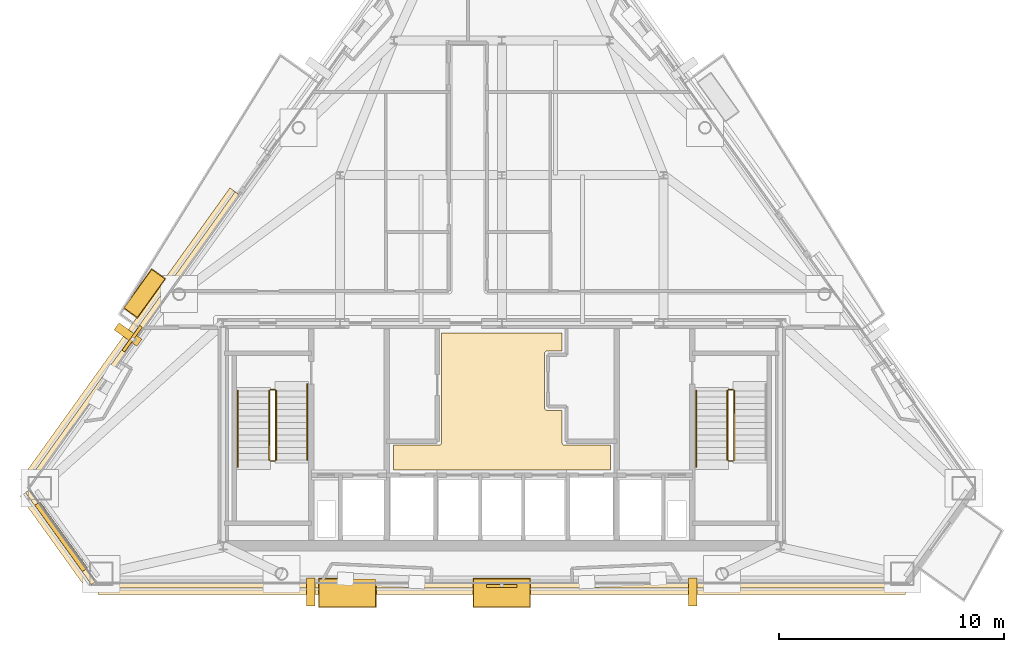
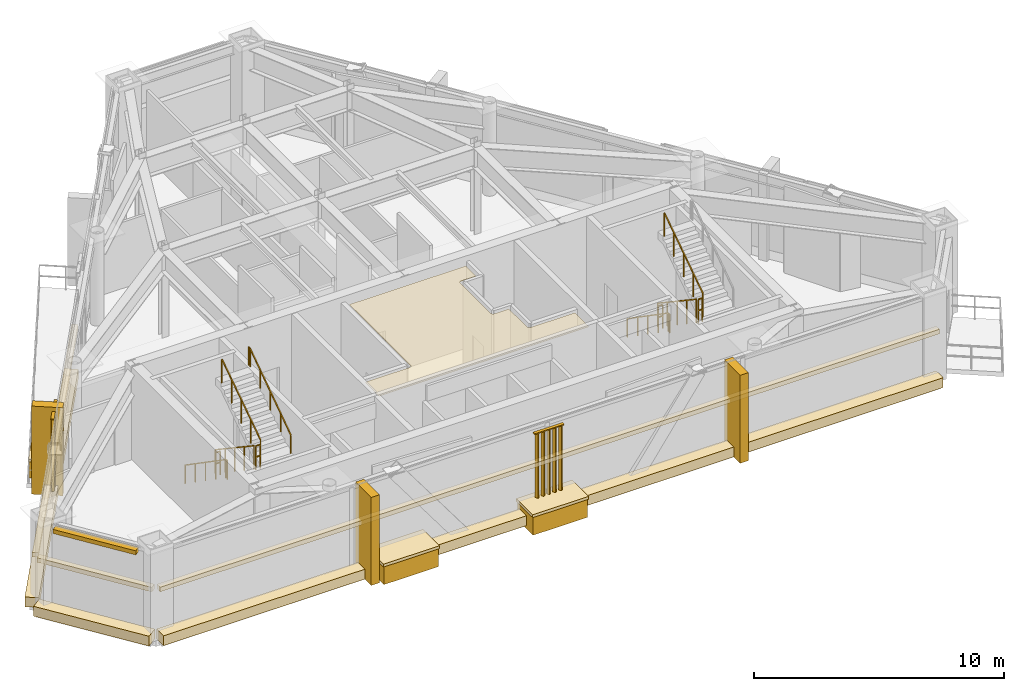
# One storey, part 10 of 11: 16 coverings, 11 railings, 3 shading devices.
"""IFC4 building model written with IfcOpenShell, lengths in metres."""

from ifc_helpers import new_model, si_unit, direction, frame, origin, origin_2d, place, context, subcontext, project, spatial, polyline, rectangle, outline, extrude, source, transform, mapped, material, layer, layer_set, type_object, type_shapes, element, save


model = new_model("IFC4")

# Units and contexts
model_context = context("Model", 3, precision=1e-05, world=origin(), true_north=direction((0.0, 1.0)))
body_context = subcontext(model_context, "Body", "Model", "MODEL_VIEW")
ifc_project = project(units=[si_unit("LENGTHUNIT", "METRE"), si_unit("AREAUNIT", "SQUARE_METRE"), si_unit("VOLUMEUNIT", "CUBIC_METRE"), si_unit("PLANEANGLEUNIT", "RADIAN"), si_unit("MASSUNIT", "GRAM", prefix="KILO")], contexts=[model_context])

# Site, building, storey
site_placement = place(None, origin())
site = spatial("IfcSite", under=ifc_project, at=site_placement, CompositionType="ELEMENT")
building_placement = place(site_placement, origin())
building = spatial("IfcBuilding", under=site, at=building_placement, Name="Talgorran Terracotta Tower", CompositionType="ELEMENT")
storey_placement = place(building_placement, frame((0.0, 0.0, 228.89990234375)))
storey = spatial("IfcBuildingStorey", under=building, at=storey_placement, Name="L60", CompositionType="ELEMENT", Elevation=228.89990234375)

# Coverings
ifc_material_1 = material(Name="Kiln-Fired Terracotta Ochre Ceramic", Category="masonry")
ifc_layer_1 = layer(ifc_material_1, 0.179931640625, Name="COV_BAGUETTE_TERRACOTTA_SCREEN")
ifc_layer_set_1 = layer_set([ifc_layer_1], Name="Kiln-Fired Terracotta Ochre Ceramic")
covering_type_1 = type_object("IfcCoveringType", Name="COV_BAGUETTE_TERRACOTTA_SCREEN", PredefinedType="CLADDING", material=ifc_layer_set_1)
covering_1_placement = place(storey_placement, frame((-19.62841796875, -13.7041015625, 2.41015625), z_axis=(0.0, 0.0, 1.0), x_axis=(0.583115925445, -0.812388957023, 0.0)))
element("IfcCovering", 1, at=covering_1_placement, inside=storey, type_object=covering_type_1, Name="L60 Terracotta Baguette Solar Screen Assembly F0", PredefinedType="CLADDING", context=body_context, shape_type="SweptSolid", body=[
    extrude(rectangle(XDim=5.04541015625, YDim=0.260009765625, at=origin_2d()), origin(), (0.0, 0.0, 1.0), 0.219970703125),
])
covering_2_placement = place(storey_placement, frame((0.0, -15.852294921875, 2.41015625), z_axis=(0.0, 0.0, 1.0), x_axis=(1.0, 0.0, 0.0)))
element("IfcCovering", 2, at=covering_2_placement, inside=storey, type_object=covering_type_1, Name="L60 Terracotta Baguette Solar Screen Assembly F1", PredefinedType="CLADDING", context=body_context, shape_type="SweptSolid", body=[
    extrude(rectangle(XDim=35.930908203125, YDim=0.260009765625, at=origin_2d()), origin(), (0.0, 0.0, 1.0), 0.219970703125),
])
covering_3_placement = place(storey_placement, frame((-16.4208984375, -4.906005859375, 2.41015625), z_axis=(0.0, 0.0, 1.0), x_axis=(-0.583115925445, -0.812388957023, 0.0)))
element("IfcCovering", 3, at=covering_3_placement, inside=storey, type_object=covering_type_1, Name="L60 Terracotta Baguette Solar Screen Assembly F61", PredefinedType="CLADDING", context=body_context, shape_type="SweptSolid", body=[
    extrude(rectangle(XDim=15.96728515625, YDim=0.260009765625, at=origin_2d()), origin(), (0.0, 0.0, 1.0), 0.219970703125),
])
ifc_material_2 = material(Name="Flush Moisture-Resistant Plaster")
ifc_layer_2 = layer(ifc_material_2, 0.01806640625, Name="COV_CEIL_PLASTER")
ifc_layer_set_2 = layer_set([ifc_layer_2], Name="Flush Moisture-Resistant Plaster")
covering_type_2 = type_object("IfcCoveringType", Name="COV_CEIL_PLASTER", PredefinedType="CEILING", material=ifc_layer_set_2)
covering_4_placement = place(storey_placement, frame((0.0, 0.0, 4.155029296875)))
element("IfcCovering", 4, at=covering_4_placement, inside=storey, type_object=covering_type_2, Name="CEIL-L60-1", PredefinedType="CEILING", context=body_context, shape_type="SweptSolid", body=[
    extrude(outline(polyline([(4.830078125, -9.6201171875), (4.830078125, -10.72998046875), (-4.830078125, -10.72998046875), (-4.830078125, -9.6201171875), (-2.800048828125, -9.6201171875), (-2.7880859375, -9.619384765625), (-2.776611328125, -9.61767578125), (-2.76513671875, -9.61474609375), (-2.754150390625, -9.61083984375), (-2.743408203125, -9.605712890625), (-2.7333984375, -9.599853515625), (-2.723876953125, -9.5927734375), (-2.715087890625, -9.5849609375), (-2.707275390625, -9.576171875), (-2.7001953125, -9.566650390625), (-2.694091796875, -9.556640625), (-2.689208984375, -9.5458984375), (-2.685302734375, -9.534912109375), (-2.682373046875, -9.5234375), (-2.6806640625, -9.51171875), (-2.679931640625, -9.5), (-2.679931640625, -4.6201171875), (2.679931640625, -4.6201171875), (2.679931640625, -5.429931640625), (2.02001953125, -5.429931640625), (2.00830078125, -5.4306640625), (1.99658203125, -5.432373046875), (1.985107421875, -5.435302734375), (1.97412109375, -5.439208984375), (1.96337890625, -5.444091796875), (1.953369140625, -5.4501953125), (1.94384765625, -5.457275390625), (1.93505859375, -5.465087890625), (1.92724609375, -5.473876953125), (1.920166015625, -5.4833984375), (1.914306640625, -5.493408203125), (1.9091796875, -5.504150390625), (1.9052734375, -5.51513671875), (1.90234375, -5.526611328125), (1.900634765625, -5.5380859375), (1.89990234375, -5.550048828125), (1.89990234375, -7.949951171875), (1.900634765625, -7.9619140625), (1.90234375, -7.973388671875), (1.9052734375, -7.98486328125), (1.9091796875, -7.995849609375), (1.914306640625, -8.006591796875), (1.920166015625, -8.0166015625), (1.92724609375, -8.026123046875), (1.93505859375, -8.034912109375), (1.94384765625, -8.042724609375), (1.953369140625, -8.0498046875), (1.96337890625, -8.055908203125), (1.97412109375, -8.060791015625), (1.985107421875, -8.064697265625), (1.99658203125, -8.067626953125), (2.00830078125, -8.0693359375), (2.02001953125, -8.070068359375), (2.679931640625, -8.070068359375), (2.679931640625, -9.5), (2.6806640625, -9.51171875), (2.682373046875, -9.5234375), (2.685302734375, -9.534912109375), (2.689208984375, -9.5458984375), (2.694091796875, -9.556640625), (2.7001953125, -9.566650390625), (2.707275390625, -9.576171875), (2.715087890625, -9.5849609375), (2.723876953125, -9.5927734375), (2.7333984375, -9.599853515625), (2.743408203125, -9.605712890625), (2.754150390625, -9.61083984375), (2.76513671875, -9.61474609375), (2.776611328125, -9.61767578125), (2.7880859375, -9.619384765625), (2.800048828125, -9.6201171875), (4.830078125, -9.6201171875)])), origin(), (0.0, 0.0, 1.0), 0.02001953125),
])
ifc_material_3 = material(Name="Honed Limestone and Terracotta Planter", Category="masonry")
ifc_layer_3 = layer(ifc_material_3, 0.1201171875, Name="COV_PLANTER_BOX")
ifc_layer_set_3 = layer_set([ifc_layer_3], Name="Honed Limestone and Terracotta Planter")
covering_type_3 = type_object("IfcCoveringType", Name="COV_PLANTER_BOX", PredefinedType="CLADDING", material=ifc_layer_set_3)
for number, where, z_axis, x_axis, name in (
    (5, (-6.876953125, -16.192138671875, -0.179931640625), (0.0, 0.0, 1.0), (1.0, 0.0, 0.0), "L60 Staggered South Facade Planter Box 1"),
    (6, (0.0, -16.192138671875, -0.179931640625), (0.0, 0.0, 1.0), (1.0, 0.0, 0.0), "L60 Staggered South Facade Planter Box 2"),
):
    element("IfcCovering", number, at=place(storey_placement, frame(where, z_axis=z_axis, x_axis=x_axis)), inside=storey, type_object=covering_type_3, Name=name, PredefinedType="CLADDING", context=body_context, shape_type="SweptSolid", body=[
        extrude(rectangle(XDim=2.5, YDim=1.25, at=origin_2d()), origin(), (0.0, 0.0, 1.0), 0.919921875),
    ])
covering_5_placement = place(storey_placement, frame((-15.9033203125, -2.86474609375, -0.02001953125), z_axis=(0.0, 0.0, 1.0), x_axis=(-0.583115925445, -0.812388957023, 0.0)))
element("IfcCovering", 7, at=covering_5_placement, inside=storey, type_object=covering_type_3, Name="L60 Staggered Balcony Planter Box BAL-NW", PredefinedType="CLADDING", context=body_context, shape_type="SweptSolid", body=[
    extrude(rectangle(XDim=2.10009765625, YDim=0.719970703125, at=origin_2d()), origin(), (0.0, 0.0, 1.0), 0.860107421875),
])
ifc_material_4 = material(Name="Kiln-Fired Terracotta Planter Rim", Category="masonry")
ifc_layer_4 = layer(ifc_material_4, 0.10009765625, Name="COV_PLANTER_RIM")
ifc_layer_set_4 = layer_set([ifc_layer_4], Name="Kiln-Fired Terracotta Planter Rim")
covering_type_4 = type_object("IfcCoveringType", Name="COV_PLANTER_RIM", PredefinedType="CLADDING", material=ifc_layer_set_4)
for number, where, z_axis, x_axis, name in (
    (8, (-6.876953125, -16.192138671875, 0.7099609375), (0.0, 0.0, 1.0), (1.0, 0.0, 0.0), "L60 South Planter Terracotta Rim 1"),
    (9, (0.0, -16.192138671875, 0.7099609375), (0.0, 0.0, 1.0), (1.0, 0.0, 0.0), "L60 South Planter Terracotta Rim 2"),
):
    element("IfcCovering", number, at=place(storey_placement, frame(where, z_axis=z_axis, x_axis=x_axis)), inside=storey, type_object=covering_type_4, Name=name, PredefinedType="CLADDING", context=body_context, shape_type="SweptSolid", body=[
        extrude(rectangle(XDim=2.580078125, YDim=1.320068359375, at=origin_2d()), origin(), (0.0, 0.0, 1.0), 0.139892578125),
    ])
covering_6_placement = place(storey_placement, frame((-15.9033203125, -2.86474609375, 0.800048828125), z_axis=(0.0, 0.0, 1.0), x_axis=(-0.583115925445, -0.812388957023, 0.0)))
element("IfcCovering", 10, at=covering_6_placement, inside=storey, type_object=covering_type_4, Name="L60 Balcony Planter Terracotta Rim BAL-NW", PredefinedType="CLADDING", context=body_context, shape_type="SweptSolid", body=[
    extrude(rectangle(XDim=2.179931640625, YDim=0.780029296875, at=origin_2d()), origin(), (0.0, 0.0, 1.0), 0.1201171875),
])
ifc_material_5 = material(Name="Honed Limestone Cladding", Category="masonry")
ifc_layer_5 = layer(ifc_material_5, 0.094970703125, Name="COV_PORTAL_LIME")
ifc_layer_set_5 = layer_set([ifc_layer_5], Name="Honed Limestone Cladding")
covering_type_5 = type_object("IfcCoveringType", Name="COV_PORTAL_LIME", PredefinedType="CLADDING", material=ifc_layer_set_5)
covering_7_placement = place(storey_placement, frame((-19.7421875, -13.785888671875, -0.039794921875), z_axis=(0.0, 0.0, 1.0), x_axis=(0.583115925445, -0.812388957023, 0.0)))
element("IfcCovering", 11, at=covering_7_placement, inside=storey, type_object=covering_type_5, Name="L60 Striped Postmodern Portal Cladding Band F0", PredefinedType="CLADDING", context=body_context, shape_type="SweptSolid", body=[
    extrude(rectangle(XDim=5.0654296875, YDim=0.56005859375, at=origin_2d()), origin(), (0.0, 0.0, 1.0), 0.47998046875),
])
covering_8_placement = place(storey_placement, frame((0.0, -15.9921875, -0.039794921875), z_axis=(0.0, 0.0, 1.0), x_axis=(1.0, 0.0, 0.0)))
element("IfcCovering", 12, at=covering_8_placement, inside=storey, type_object=covering_type_5, Name="L60 Striped Postmodern Portal Cladding Band F1", PredefinedType="CLADDING", context=body_context, shape_type="SweptSolid", body=[
    extrude(rectangle(XDim=35.95068359375, YDim=0.56005859375, at=origin_2d()), origin(), (0.0, 0.0, 1.0), 0.47998046875),
])
covering_9_placement = place(storey_placement, frame((-16.534423828125, -4.824462890625, -0.039794921875), z_axis=(0.0, 0.0, 1.0), x_axis=(-0.583115925445, -0.812388957023, 0.0)))
element("IfcCovering", 13, at=covering_9_placement, inside=storey, type_object=covering_type_5, Name="L60 Striped Postmodern Portal Cladding Band F61", PredefinedType="CLADDING", context=body_context, shape_type="SweptSolid", body=[
    extrude(rectangle(XDim=15.9873046875, YDim=0.56005859375, at=origin_2d()), origin(), (0.0, 0.0, 1.0), 0.47998046875),
])
for number, where, z_axis, x_axis, name in (
    (14, (8.505615234375, -16.152099609375, -0.0498046875), (0.0, 0.0, 1.0), (1.0, 0.0, 0.0), "L60 White Striped Portal Fin F1-2"),
    (15, (-16.638671875, -4.695068359375, -0.0498046875), (0.0, 0.0, 1.0), (-0.583115925445, -0.812388957023, 0.0), "L60 White Striped Portal Fin F5-2"),
):
    element("IfcCovering", number, at=place(storey_placement, frame(where, z_axis=z_axis, x_axis=x_axis)), inside=storey, type_object=covering_type_5, Name=name, PredefinedType="CLADDING", context=body_context, shape_type="SweptSolid", body=[
        extrude(rectangle(XDim=0.3798828125, YDim=1.25, at=origin_2d()), origin(), (0.0, 0.0, 1.0), 4.294921875),
    ])
ifc_material_6 = material(Name="Kiln-Fired Terracotta Cladding", Category="masonry")
ifc_layer_6 = layer(ifc_material_6, 0.090087890625, Name="COV_PORTAL_TERRA")
ifc_layer_set_6 = layer_set([ifc_layer_6], Name="Kiln-Fired Terracotta Cladding")
covering_type_6 = type_object("IfcCoveringType", Name="COV_PORTAL_TERRA", PredefinedType="CLADDING", material=ifc_layer_set_6)
covering_10_placement = place(storey_placement, frame((-8.505615234375, -16.152099609375, -0.0498046875), z_axis=(0.0, 0.0, 1.0), x_axis=(1.0, 0.0, 0.0)))
element("IfcCovering", 16, at=covering_10_placement, inside=storey, type_object=covering_type_6, Name="L60 Terracotta Striped Portal Fin F1-1", PredefinedType="CLADDING", context=body_context, shape_type="SweptSolid", body=[
    extrude(rectangle(XDim=0.3798828125, YDim=1.25, at=origin_2d()), origin(), (0.0, 0.0, 1.0), 4.294921875),
])

# Railings
ifc_material_7 = material(Name="Steel S355 (300PLUS)", Category="steel")
railing_type_1 = type_object("IfcRailingType", Name="RL_HANDRAIL_920", PredefinedType="HANDRAIL", material=ifc_material_7)
railing_1_placement = place(storey_placement, frame((-11.75, -7.199951171875, 0.1875)))
element("IfcRailing", 17, at=railing_1_placement, inside=storey, type_object=railing_type_1, Name="L60 ST-01 stair handrail 1", PredefinedType="HANDRAIL", context=body_context, shape_type="SweptSolid", body=[
    extrude(rectangle(XDim=0.048095703125, YDim=0.048095703125, at=origin_2d()), frame((0.0, 0.0, 0.89599609375), z_axis=(0.0, -0.82301009837, 0.568026740551), x_axis=(1.0, 0.0, 0.0)), (0.0, 0.0, 1.0), 3.961181640625),
    extrude(rectangle(XDim=0.048095703125, YDim=0.048095703125, at=origin_2d()), frame((0.0, -3.260009765625, 3.14599609375), z_axis=(0.0, -1.0, 0.0), x_axis=(1.0, 0.0, 0.0)), (0.0, 0.0, 1.0), 0.1201171875),
    extrude(rectangle(XDim=0.0419921875, YDim=0.0419921875, at=origin_2d()), origin(), (0.0, 0.0, 1.0), 0.871826171875),
    extrude(rectangle(XDim=0.0419921875, YDim=0.0419921875, at=origin_2d()), frame((0.0, -0.81494140625, 0.5625)), (0.0, 0.0, 1.0), 0.871826171875),
    extrude(rectangle(XDim=0.0419921875, YDim=0.0419921875, at=origin_2d()), frame((0.0, -1.6298828125, 1.125)), (0.0, 0.0, 1.0), 0.871826171875),
    extrude(rectangle(XDim=0.0419921875, YDim=0.0419921875, at=origin_2d()), frame((0.0, -2.445068359375, 1.6875)), (0.0, 0.0, 1.0), 0.871826171875),
    extrude(rectangle(XDim=0.0419921875, YDim=0.0419921875, at=origin_2d()), frame((0.0, -3.260009765625, 2.25)), (0.0, 0.0, 1.0), 0.871826171875),
    extrude(rectangle(XDim=0.0419921875, YDim=0.0419921875, at=origin_2d()), frame((0.0, -3.380126953125, 2.25)), (0.0, 0.0, 1.0), 0.871826171875),
])
railing_2_placement = place(storey_placement, frame((-8.64990234375, -10.280029296875, 2.4375)))
element("IfcRailing", 18, at=railing_2_placement, inside=storey, type_object=railing_type_1, Name="L60 ST-01 stair handrail 2", PredefinedType="HANDRAIL", context=body_context, shape_type="SweptSolid", body=[
    extrude(rectangle(XDim=0.048095703125, YDim=0.048095703125, at=origin_2d()), frame((0.0, 0.0, 0.89599609375), z_axis=(0.0, 0.82301009837, 0.568026740551), x_axis=(-1.0, 0.0, 0.0)), (0.0, 0.0, 1.0), 3.961181640625),
    extrude(rectangle(XDim=0.048095703125, YDim=0.048095703125, at=origin_2d()), frame((0.0, 3.260009765625, 3.14599609375), z_axis=(0.0, 1.0, 0.0), x_axis=(-1.0, 0.0, 0.0)), (0.0, 0.0, 1.0), 0.1201171875),
    extrude(rectangle(XDim=0.0419921875, YDim=0.0419921875, at=origin_2d()), origin(), (0.0, 0.0, 1.0), 0.871826171875),
    extrude(rectangle(XDim=0.0419921875, YDim=0.0419921875, at=origin_2d()), frame((0.0, 0.81494140625, 0.5625)), (0.0, 0.0, 1.0), 0.871826171875),
    extrude(rectangle(XDim=0.0419921875, YDim=0.0419921875, at=origin_2d()), frame((0.0, 1.6298828125, 1.125)), (0.0, 0.0, 1.0), 0.871826171875),
    extrude(rectangle(XDim=0.0419921875, YDim=0.0419921875, at=origin_2d()), frame((0.0, 2.445068359375, 1.6875)), (0.0, 0.0, 1.0), 0.871826171875),
    extrude(rectangle(XDim=0.0419921875, YDim=0.0419921875, at=origin_2d()), frame((0.0, 3.260009765625, 2.25)), (0.0, 0.0, 1.0), 0.871826171875),
    extrude(rectangle(XDim=0.0419921875, YDim=0.0419921875, at=origin_2d()), frame((0.0, 3.380126953125, 2.25)), (0.0, 0.0, 1.0), 0.871826171875),
])
railing_3_placement = place(storey_placement, frame((8.64990234375, -7.199951171875, 0.1875)))
element("IfcRailing", 19, at=railing_3_placement, inside=storey, type_object=railing_type_1, Name="L60 ST-02 stair handrail 1", PredefinedType="HANDRAIL", context=body_context, shape_type="SweptSolid", body=[
    extrude(rectangle(XDim=0.048095703125, YDim=0.048095703125, at=origin_2d()), frame((0.0, 0.0, 0.89599609375), z_axis=(0.0, -0.82301009837, 0.568026740551), x_axis=(1.0, 0.0, 0.0)), (0.0, 0.0, 1.0), 3.961181640625),
    extrude(rectangle(XDim=0.048095703125, YDim=0.048095703125, at=origin_2d()), frame((0.0, -3.260009765625, 3.14599609375), z_axis=(0.0, -1.0, 0.0), x_axis=(1.0, 0.0, 0.0)), (0.0, 0.0, 1.0), 0.1201171875),
    extrude(rectangle(XDim=0.0419921875, YDim=0.0419921875, at=origin_2d()), origin(), (0.0, 0.0, 1.0), 0.871826171875),
    extrude(rectangle(XDim=0.0419921875, YDim=0.0419921875, at=origin_2d()), frame((0.0, -0.81494140625, 0.5625)), (0.0, 0.0, 1.0), 0.871826171875),
    extrude(rectangle(XDim=0.0419921875, YDim=0.0419921875, at=origin_2d()), frame((0.0, -1.6298828125, 1.125)), (0.0, 0.0, 1.0), 0.871826171875),
    extrude(rectangle(XDim=0.0419921875, YDim=0.0419921875, at=origin_2d()), frame((0.0, -2.445068359375, 1.6875)), (0.0, 0.0, 1.0), 0.871826171875),
    extrude(rectangle(XDim=0.0419921875, YDim=0.0419921875, at=origin_2d()), frame((0.0, -3.260009765625, 2.25)), (0.0, 0.0, 1.0), 0.871826171875),
    extrude(rectangle(XDim=0.0419921875, YDim=0.0419921875, at=origin_2d()), frame((0.0, -3.380126953125, 2.25)), (0.0, 0.0, 1.0), 0.871826171875),
])
railing_type_2 = type_object("IfcRailingType", Name="RL_STAIR_GUARD", PredefinedType="GUARDRAIL", material=ifc_material_7)
railing_4_placement = place(storey_placement, frame((-10.35009765625, -7.199951171875, 0.1875)))
element("IfcRailing", 20, at=railing_4_placement, inside=storey, type_object=railing_type_2, Name="L60 ST-01 stair guard 1", PredefinedType="GUARDRAIL", context=body_context, shape_type="SweptSolid", body=[
    extrude(rectangle(XDim=0.048095703125, YDim=0.048095703125, at=origin_2d()), frame((0.0, 0.0, 1.15576171875), z_axis=(0.0, -0.830913701846, 0.55640131208), x_axis=(1.0, 0.0, 0.0)), (0.0, 0.0, 1.0), 3.706787109375),
    extrude(rectangle(XDim=0.0419921875, YDim=0.0419921875, at=origin_2d()), origin(), (0.0, 0.0, 1.0), 1.1318359375),
    extrude(rectangle(XDim=0.0419921875, YDim=0.0419921875, at=origin_2d()), frame((0.0, -0.77001953125, 0.515625)), (0.0, 0.0, 1.0), 1.1318359375),
    extrude(rectangle(XDim=0.0419921875, YDim=0.0419921875, at=origin_2d()), frame((0.0, -1.5400390625, 1.03125)), (0.0, 0.0, 1.0), 1.1318359375),
    extrude(rectangle(XDim=0.0419921875, YDim=0.0419921875, at=origin_2d()), frame((0.0, -2.31005859375, 1.546875)), (0.0, 0.0, 1.0), 1.1318359375),
    extrude(rectangle(XDim=0.0419921875, YDim=0.0419921875, at=origin_2d()), frame((0.0, -3.080078125, 2.0625)), (0.0, 0.0, 1.0), 1.1318359375),
])
railing_5_placement = place(storey_placement, frame((-10.300048828125, -10.330078125, 2.25)))
element("IfcRailing", 21, at=railing_5_placement, inside=storey, type_object=railing_type_2, Name="L60 ST-01 stair guard 2", PredefinedType="GUARDRAIL", context=body_context, shape_type="SweptSolid", body=[
    extrude(rectangle(XDim=0.048095703125, YDim=0.048095703125, at=origin_2d()), frame((0.0, 0.0, 1.15576171875), z_axis=(1.0, 0.0, 0.0), x_axis=(0.0, 1.0, 0.0)), (0.0, 0.0, 1.0), 0.199951171875),
    extrude(rectangle(XDim=0.048095703125, YDim=0.048095703125, at=origin_2d()), frame((0.0, 0.0, 0.613525390625), z_axis=(1.0, 0.0, 0.0), x_axis=(0.0, 1.0, 0.0)), (0.0, 0.0, 1.0), 0.199951171875),
    extrude(rectangle(XDim=0.0419921875, YDim=0.0419921875, at=origin_2d()), origin(), (0.0, 0.0, 1.0), 1.1318359375),
    extrude(rectangle(XDim=0.0419921875, YDim=0.0419921875, at=origin_2d()), frame((0.199951171875, 0.0, 0.0)), (0.0, 0.0, 1.0), 1.1318359375),
])
railing_6_placement = place(storey_placement, frame((-10.050048828125, -10.280029296875, 2.4375)))
element("IfcRailing", 22, at=railing_6_placement, inside=storey, type_object=railing_type_2, Name="L60 ST-01 stair guard 3", PredefinedType="GUARDRAIL", context=body_context, shape_type="SweptSolid", body=[
    extrude(rectangle(XDim=0.048095703125, YDim=0.048095703125, at=origin_2d()), frame((0.0, 0.0, 1.15576171875), z_axis=(0.0, 0.830913701846, 0.55640131208), x_axis=(-1.0, 0.0, 0.0)), (0.0, 0.0, 1.0), 3.706787109375),
    extrude(rectangle(XDim=0.0419921875, YDim=0.0419921875, at=origin_2d()), origin(), (0.0, 0.0, 1.0), 1.1318359375),
    extrude(rectangle(XDim=0.0419921875, YDim=0.0419921875, at=origin_2d()), frame((0.0, 0.77001953125, 0.515625)), (0.0, 0.0, 1.0), 1.1318359375),
    extrude(rectangle(XDim=0.0419921875, YDim=0.0419921875, at=origin_2d()), frame((0.0, 1.5400390625, 1.03125)), (0.0, 0.0, 1.0), 1.1318359375),
    extrude(rectangle(XDim=0.0419921875, YDim=0.0419921875, at=origin_2d()), frame((0.0, 2.31005859375, 1.546875)), (0.0, 0.0, 1.0), 1.1318359375),
    extrude(rectangle(XDim=0.0419921875, YDim=0.0419921875, at=origin_2d()), frame((0.0, 3.080078125, 2.0625)), (0.0, 0.0, 1.0), 1.1318359375),
])
railing_7_placement = place(storey_placement, frame((-10.300048828125, -7.14990234375, 0.0)))
element("IfcRailing", 23, at=railing_7_placement, inside=storey, type_object=railing_type_2, Name="L60 ST-01 stair guard 4", PredefinedType="GUARDRAIL", context=body_context, shape_type="SweptSolid", body=[
    extrude(rectangle(XDim=0.048095703125, YDim=0.048095703125, at=origin_2d()), frame((0.0, 0.0, 1.15576171875), z_axis=(1.0, 0.0, 0.0), x_axis=(0.0, 1.0, 0.0)), (0.0, 0.0, 1.0), 0.199951171875),
    extrude(rectangle(XDim=0.048095703125, YDim=0.048095703125, at=origin_2d()), frame((0.0, 0.0, 0.613525390625), z_axis=(1.0, 0.0, 0.0), x_axis=(0.0, 1.0, 0.0)), (0.0, 0.0, 1.0), 0.199951171875),
    extrude(rectangle(XDim=0.0419921875, YDim=0.0419921875, at=origin_2d()), origin(), (0.0, 0.0, 1.0), 1.1318359375),
    extrude(rectangle(XDim=0.0419921875, YDim=0.0419921875, at=origin_2d()), frame((0.199951171875, 0.0, 0.0)), (0.0, 0.0, 1.0), 1.1318359375),
])
railing_8_placement = place(storey_placement, frame((10.050048828125, -7.199951171875, 0.1875)))
element("IfcRailing", 24, at=railing_8_placement, inside=storey, type_object=railing_type_2, Name="L60 ST-02 stair guard 1", PredefinedType="GUARDRAIL", context=body_context, shape_type="SweptSolid", body=[
    extrude(rectangle(XDim=0.048095703125, YDim=0.048095703125, at=origin_2d()), frame((0.0, 0.0, 1.15576171875), z_axis=(0.0, -0.830913701846, 0.55640131208), x_axis=(1.0, 0.0, 0.0)), (0.0, 0.0, 1.0), 3.706787109375),
    extrude(rectangle(XDim=0.0419921875, YDim=0.0419921875, at=origin_2d()), origin(), (0.0, 0.0, 1.0), 1.1318359375),
    extrude(rectangle(XDim=0.0419921875, YDim=0.0419921875, at=origin_2d()), frame((0.0, -0.77001953125, 0.515625)), (0.0, 0.0, 1.0), 1.1318359375),
    extrude(rectangle(XDim=0.0419921875, YDim=0.0419921875, at=origin_2d()), frame((0.0, -1.5400390625, 1.03125)), (0.0, 0.0, 1.0), 1.1318359375),
    extrude(rectangle(XDim=0.0419921875, YDim=0.0419921875, at=origin_2d()), frame((0.0, -2.31005859375, 1.546875)), (0.0, 0.0, 1.0), 1.1318359375),
    extrude(rectangle(XDim=0.0419921875, YDim=0.0419921875, at=origin_2d()), frame((0.0, -3.080078125, 2.0625)), (0.0, 0.0, 1.0), 1.1318359375),
])
railing_9_placement = place(storey_placement, frame((10.10009765625, -10.330078125, 2.25)))
element("IfcRailing", 25, at=railing_9_placement, inside=storey, type_object=railing_type_2, Name="L60 ST-02 stair guard 2", PredefinedType="GUARDRAIL", context=body_context, shape_type="SweptSolid", body=[
    extrude(rectangle(XDim=0.048095703125, YDim=0.048095703125, at=origin_2d()), frame((0.0, 0.0, 1.15576171875), z_axis=(1.0, 0.0, 0.0), x_axis=(0.0, 1.0, 0.0)), (0.0, 0.0, 1.0), 0.199951171875),
    extrude(rectangle(XDim=0.048095703125, YDim=0.048095703125, at=origin_2d()), frame((0.0, 0.0, 0.613525390625), z_axis=(1.0, 0.0, 0.0), x_axis=(0.0, 1.0, 0.0)), (0.0, 0.0, 1.0), 0.199951171875),
    extrude(rectangle(XDim=0.0419921875, YDim=0.0419921875, at=origin_2d()), origin(), (0.0, 0.0, 1.0), 1.1318359375),
    extrude(rectangle(XDim=0.0419921875, YDim=0.0419921875, at=origin_2d()), frame((0.199951171875, 0.0, 0.0)), (0.0, 0.0, 1.0), 1.1318359375),
])
railing_10_placement = place(storey_placement, frame((10.35009765625, -10.280029296875, 2.4375)))
element("IfcRailing", 26, at=railing_10_placement, inside=storey, type_object=railing_type_2, Name="L60 ST-02 stair guard 3", PredefinedType="GUARDRAIL", context=body_context, shape_type="SweptSolid", body=[
    extrude(rectangle(XDim=0.048095703125, YDim=0.048095703125, at=origin_2d()), frame((0.0, 0.0, 1.15576171875), z_axis=(0.0, 0.830913701846, 0.55640131208), x_axis=(-1.0, 0.0, 0.0)), (0.0, 0.0, 1.0), 3.706787109375),
    extrude(rectangle(XDim=0.0419921875, YDim=0.0419921875, at=origin_2d()), origin(), (0.0, 0.0, 1.0), 1.1318359375),
    extrude(rectangle(XDim=0.0419921875, YDim=0.0419921875, at=origin_2d()), frame((0.0, 0.77001953125, 0.515625)), (0.0, 0.0, 1.0), 1.1318359375),
    extrude(rectangle(XDim=0.0419921875, YDim=0.0419921875, at=origin_2d()), frame((0.0, 1.5400390625, 1.03125)), (0.0, 0.0, 1.0), 1.1318359375),
    extrude(rectangle(XDim=0.0419921875, YDim=0.0419921875, at=origin_2d()), frame((0.0, 2.31005859375, 1.546875)), (0.0, 0.0, 1.0), 1.1318359375),
    extrude(rectangle(XDim=0.0419921875, YDim=0.0419921875, at=origin_2d()), frame((0.0, 3.080078125, 2.0625)), (0.0, 0.0, 1.0), 1.1318359375),
])
railing_11_placement = place(storey_placement, frame((10.10009765625, -7.14990234375, 0.0)))
element("IfcRailing", 27, at=railing_11_placement, inside=storey, type_object=railing_type_2, Name="L60 ST-02 stair guard 4", PredefinedType="GUARDRAIL", context=body_context, shape_type="SweptSolid", body=[
    extrude(rectangle(XDim=0.048095703125, YDim=0.048095703125, at=origin_2d()), frame((0.0, 0.0, 1.15576171875), z_axis=(1.0, 0.0, 0.0), x_axis=(0.0, 1.0, 0.0)), (0.0, 0.0, 1.0), 0.199951171875),
    extrude(rectangle(XDim=0.048095703125, YDim=0.048095703125, at=origin_2d()), frame((0.0, 0.0, 0.613525390625), z_axis=(1.0, 0.0, 0.0), x_axis=(0.0, 1.0, 0.0)), (0.0, 0.0, 1.0), 0.199951171875),
    extrude(rectangle(XDim=0.0419921875, YDim=0.0419921875, at=origin_2d()), origin(), (0.0, 0.0, 1.0), 1.1318359375),
    extrude(rectangle(XDim=0.0419921875, YDim=0.0419921875, at=origin_2d()), frame((0.199951171875, 0.0, 0.0)), (0.0, 0.0, 1.0), 1.1318359375),
])

# Shading devices
ifc_material_8 = material(Name="Kiln-Fired Terracotta", Category="masonry")
ifc_layer_7 = layer(ifc_material_8, 0.280029296875, Name="SHD_SUNSHADE_TERRA")
ifc_layer_set_7 = layer_set([ifc_layer_7], Name="Kiln-Fired Terracotta")
shading_device_type_1 = type_object("IfcShadingDeviceType", Name="SHD_SUNSHADE_TERRA", PredefinedType="AWNING", material=ifc_layer_set_7)
shared_shape_1 = source(origin(), body_context, "Body", "SweptSolid", [
    extrude(rectangle(XDim=3.6298828125, YDim=0.280029296875, at=origin_2d()), origin(), (0.0, 0.0, 1.0), 0.199951171875),
])
type_shapes(shading_device_type_1, [shared_shape_1])
shading_device_placement = place(storey_placement, frame((-19.6123046875, -13.6923828125, 4.0048828125), z_axis=(0.0, 0.0, 1.0), x_axis=(0.583115925445, -0.812388957023, 0.0)))
element("IfcShadingDevice", 28, at=shading_device_placement, inside=storey, type_object=shading_device_type_1, Name="SHD-BROW-L60-F0", PredefinedType="AWNING", context=body_context, shape_type="MappedRepresentation", body=[
    mapped(shared_shape_1, transform((0.0, 0.0, 0.0), scale=1.0)),
])
ifc_layer_8 = layer(ifc_material_8, 0.139892578125, Name="SHD_BAGUETTE_TERRA")
ifc_layer_set_8 = layer_set([ifc_layer_8], Name="Kiln-Fired Terracotta")
shading_device_type_2 = type_object("IfcShadingDeviceType", Name="SHD_BAGUETTE_TERRA", PredefinedType="JALOUSIE", material=ifc_layer_set_8)
shared_shape_2 = source(origin(), body_context, "Body", "SweptSolid", [
    extrude(rectangle(XDim=1.35009765625, YDim=0.139892578125, at=origin_2d()), origin(), (0.0, 0.0, 1.0), 0.054931640625),
    extrude(rectangle(XDim=1.35009765625, YDim=0.139892578125, at=origin_2d()), frame((0.0, 0.0, 3.64013671875)), (0.0, 0.0, 1.0), 0.054931640625),
    extrude(rectangle(XDim=0.074951171875, YDim=0.139892578125, at=origin_2d()), frame((-0.53515625, 0.0, 0.054931640625), z_axis=(0.0, 0.0, 1.0), x_axis=(0.866025403784, 0.5, 0.0)), (0.0, 0.0, 1.0), 3.585205078125),
    extrude(rectangle(XDim=0.074951171875, YDim=0.139892578125, at=origin_2d()), frame((-0.267578125, 0.0, 0.054931640625), z_axis=(0.0, 0.0, 1.0), x_axis=(0.866025403784, 0.5, 0.0)), (0.0, 0.0, 1.0), 3.585205078125),
    extrude(rectangle(XDim=0.074951171875, YDim=0.139892578125, at=origin_2d()), frame((0.0, 0.0, 0.054931640625), z_axis=(0.0, 0.0, 1.0), x_axis=(0.866025403784, 0.5, 0.0)), (0.0, 0.0, 1.0), 3.585205078125),
    extrude(rectangle(XDim=0.074951171875, YDim=0.139892578125, at=origin_2d()), frame((0.267578125, 0.0, 0.054931640625), z_axis=(0.0, 0.0, 1.0), x_axis=(0.866025403784, 0.5, 0.0)), (0.0, 0.0, 1.0), 3.585205078125),
    extrude(rectangle(XDim=0.074951171875, YDim=0.139892578125, at=origin_2d()), frame((0.53515625, 0.0, 0.054931640625), z_axis=(0.0, 0.0, 1.0), x_axis=(0.866025403784, 0.5, 0.0)), (0.0, 0.0, 1.0), 3.585205078125),
])
type_shapes(shading_device_type_2, [shared_shape_2])
for number, where, z_axis, x_axis, name in (
    (29, (0.0, -15.89208984375, 0.35009765625), (0.0, 0.0, 1.0), (1.0, 0.0, 0.0), "BAG-L60-F1"),
    (30, (-16.453125, -4.8828125, 0.35009765625), (0.0, 0.0, 1.0), (-0.583115925445, -0.812388957023, 0.0), "BAG-L60-F61"),
):
    element("IfcShadingDevice", number, at=place(storey_placement, frame(where, z_axis=z_axis, x_axis=x_axis)), inside=storey, type_object=shading_device_type_2, Name=name, PredefinedType="JALOUSIE", context=body_context, shape_type="MappedRepresentation", body=[
        mapped(shared_shape_2, transform((0.0, 0.0, 0.0), scale=1.0)),
    ])

save(model, "model.ifc")
